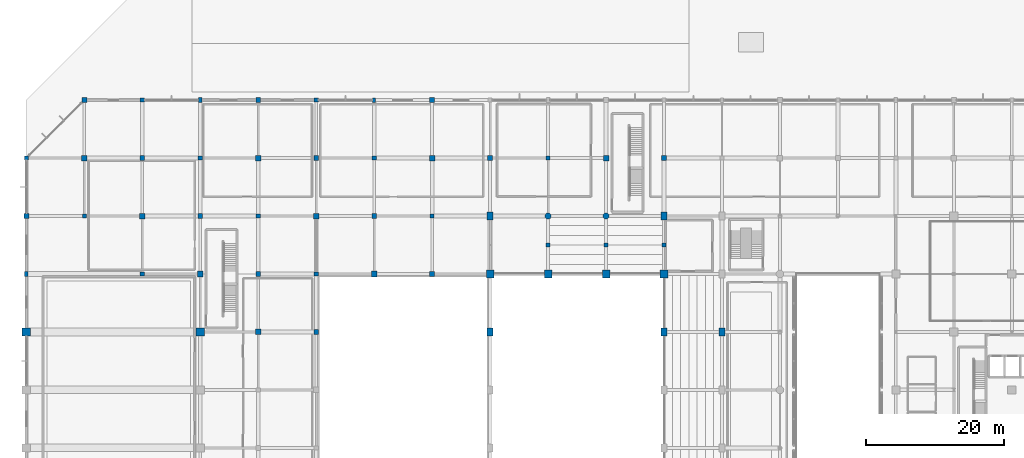
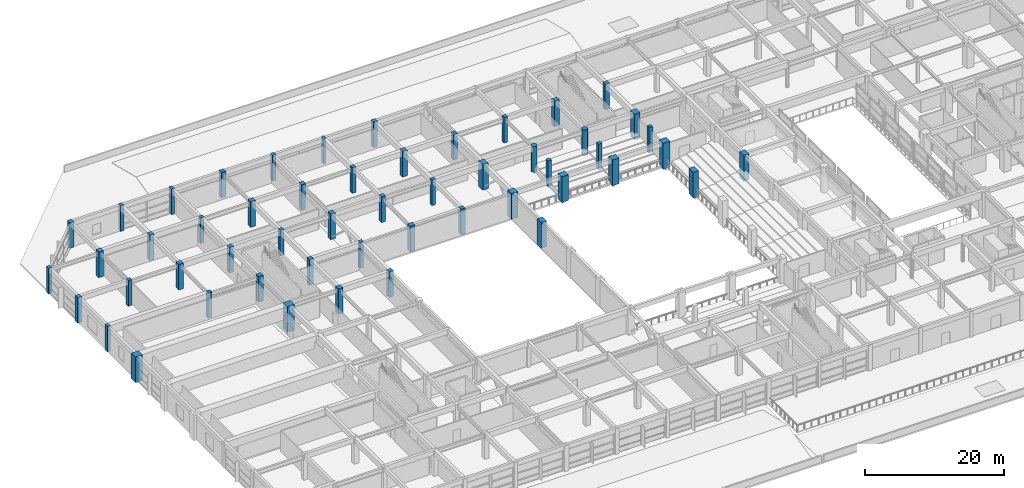
# One storey, part 3 of 60: 52 columns.
"""IFC4 building model written with IfcOpenShell, lengths in metres."""

from ifc_helpers import new_model, si_unit, direction, frame, origin, origin_2d, place, context, subcontext, project, spatial, rectangle, circle, extrude, material, material_profile, profile_set, type_object, element, save


model = new_model("IFC4")

# Units and contexts
model_context = context("Model", 3, precision=1e-05, world=origin(), true_north=direction((0.0, 1.0)))
body_context = subcontext(model_context, "Body", "Model", "MODEL_VIEW")
ifc_project = project(units=[si_unit("LENGTHUNIT", "METRE"), si_unit("AREAUNIT", "SQUARE_METRE"), si_unit("VOLUMEUNIT", "CUBIC_METRE"), si_unit("PLANEANGLEUNIT", "RADIAN"), si_unit("MASSUNIT", "GRAM", prefix="KILO")], contexts=[model_context])

# Site, building, storey
site_placement = place(None, origin())
site = spatial("IfcSite", under=ifc_project, at=site_placement, CompositionType="ELEMENT")
building_placement = place(site_placement, origin())
building = spatial("IfcBuilding", under=site, at=building_placement, Name="Xuanlan Plaza Opera House", CompositionType="ELEMENT")
storey_placement = place(building_placement, frame((0.0, 0.0, 9.89990234375)))
storey = spatial("IfcBuildingStorey", under=building, at=storey_placement, Name="L02", CompositionType="ELEMENT", Elevation=9.89990234375)

# Columns
ifc_material_1 = material(Name="Concrete C60", Category="concrete")
ifc_material_profile_1 = material_profile(ifc_material_1, rectangle(XDim=1.199951171875, YDim=1.199951171875, at=origin_2d()), Name="RC-COL 1200x1200")
ifc_profile_set_1 = profile_set([ifc_material_profile_1], Name="Concrete C60")
column_type_1 = type_object("IfcColumnType", Name="STR-COL-C-02", PredefinedType="COLUMN", material=ifc_profile_set_1)
for number, where, z_axis, x_axis, name in (
    (1, (0.0, 67.199951171875, 0.0), (0.0, 0.0, 1.0), (1.0, 0.0, 0.0), "Column L02 1-I"),
    (2, (25.199951171875, 67.199951171875, 0.0), (0.0, 0.0, 1.0), (1.0, 0.0, 0.0), "Column L02 4-I"),
):
    element("IfcColumn", number, at=place(storey_placement, frame(where, z_axis=z_axis, x_axis=x_axis)), inside=storey, type_object=column_type_1, Name=name, PredefinedType="COLUMN", context=body_context, shape_type="SweptSolid", body=[
        extrude(rectangle(XDim=1.199951171875, YDim=1.199951171875, at=origin_2d()), origin(), (0.0, 0.0, 1.0), 4.5),
    ])
ifc_material_2 = material(Name="Concrete C50", Category="concrete")
ifc_material_profile_2 = material_profile(ifc_material_2, rectangle(XDim=1.10009765625, YDim=1.10009765625, at=origin_2d()), Name="RC-COL 1100x1100")
ifc_profile_set_2 = profile_set([ifc_material_profile_2], Name="Concrete C50")
column_type_2 = type_object("IfcColumnType", Name="STR-COL-C-03", PredefinedType="COLUMN", material=ifc_profile_set_2)
for number, where, z_axis, x_axis, name in (
    (3, (67.199951171875, 75.60009765625, 0.0), (0.0, 0.0, 1.0), (1.0, 0.0, 0.0), "Column L02 9-J"),
    (4, (75.60009765625, 75.60009765625, 0.0), (0.0, 0.0, 1.0), (1.0, 0.0, 0.0), "Column L02 10-J"),
    (5, (84.0, 75.60009765625, 0.0), (0.0, 0.0, 1.0), (1.0, 0.0, 0.0), "Column L02 11-J"),
    (6, (92.39990234375, 75.60009765625, 0.0), (0.0, 0.0, 1.0), (1.0, 0.0, 0.0), "Column L02 12-J"),
):
    element("IfcColumn", number, at=place(storey_placement, frame(where, z_axis=z_axis, x_axis=x_axis)), inside=storey, type_object=column_type_2, Name=name, PredefinedType="COLUMN", context=body_context, shape_type="SweptSolid", body=[
        extrude(rectangle(XDim=1.10009765625, YDim=1.10009765625, at=origin_2d()), origin(), (0.0, 0.0, 1.0), 4.5),
    ])
ifc_material_3 = material(Name="Concrete C40", Category="concrete")
ifc_material_profile_3 = material_profile(ifc_material_3, rectangle(XDim=0.800048828125, YDim=0.800048828125, at=origin_2d()), Name="RC-COL 800x800")
ifc_profile_set_3 = profile_set([ifc_material_profile_3], Name="Concrete C40")
column_type_3 = type_object("IfcColumnType", Name="STR-COL-C-06", PredefinedType="COLUMN", material=ifc_profile_set_3)
for number, where, z_axis, x_axis, name in (
    (7, (8.39990234375, 92.39990234375, 0.0), (0.0, 0.0, 1.0), (1.0, 0.0, 0.0), "Column L02 2-L"),
    (8, (16.800048828125, 84.0, 0.0), (0.0, 0.0, 1.0), (1.0, 0.0, 0.0), "Column L02 3-K"),
    (9, (25.199951171875, 75.60009765625, 0.0), (0.0, 0.0, 1.0), (1.0, 0.0, 0.0), "Column L02 4-J"),
    (10, (33.60009765625, 67.199951171875, 0.0), (0.0, 0.0, 1.0), (1.0, 0.0, 0.0), "Column L02 5-I"),
    (11, (33.60009765625, 92.39990234375, 0.0), (0.0, 0.0, 1.0), (1.0, 0.0, 0.0), "Column L02 5-L"),
    (12, (42.0, 84.0, 0.0), (0.0, 0.0, 1.0), (1.0, 0.0, 0.0), "Column L02 6-K"),
    (13, (50.39990234375, 75.60009765625, 0.0), (0.0, 0.0, 1.0), (1.0, 0.0, 0.0), "Column L02 7-J"),
    (14, (58.800048828125, 92.39990234375, 0.0), (0.0, 0.0, 1.0), (1.0, 0.0, 0.0), "Column L02 8-L"),
    (15, (84.0, 92.39990234375, 0.0), (0.0, 0.0, 1.0), (1.0, 0.0, 0.0), "Column L02 11-L"),
):
    element("IfcColumn", number, at=place(storey_placement, frame(where, z_axis=z_axis, x_axis=x_axis)), inside=storey, type_object=column_type_3, Name=name, PredefinedType="COLUMN", context=body_context, shape_type="SweptSolid", body=[
        extrude(rectangle(XDim=0.800048828125, YDim=0.800048828125, at=origin_2d()), origin(), (0.0, 0.0, 1.0), 4.5),
    ])
ifc_material_profile_4 = material_profile(ifc_material_3, rectangle(XDim=0.699951171875, YDim=0.699951171875, at=origin_2d()), Name="RC-COL 700x700")
ifc_profile_set_4 = profile_set([ifc_material_profile_4], Name="Concrete C40")
column_type_4 = type_object("IfcColumnType", Name="STR-COL-C-07", PredefinedType="COLUMN", material=ifc_profile_set_4)
for number, where, z_axis, x_axis, name in (
    (16, (0.0, 84.0, 0.0), (0.0, 0.0, 1.0), (1.0, 0.0, 0.0), "Column L02 1-K"),
    (17, (8.39990234375, 100.800048828125, 0.0), (0.0, 0.0, 1.0), (1.0, 0.0, 0.0), "Column L02 2-M"),
    (18, (16.800048828125, 92.39990234375, 0.0), (0.0, 0.0, 1.0), (1.0, 0.0, 0.0), "Column L02 3-L"),
    (19, (25.199951171875, 84.0, 0.0), (0.0, 0.0, 1.0), (1.0, 0.0, 0.0), "Column L02 4-K"),
    (20, (33.60009765625, 75.60009765625, 0.0), (0.0, 0.0, 1.0), (1.0, 0.0, 0.0), "Column L02 5-J"),
    (21, (33.60009765625, 100.800048828125, 0.0), (0.0, 0.0, 1.0), (1.0, 0.0, 0.0), "Column L02 5-M"),
    (22, (42.0, 67.199951171875, 0.0), (0.0, 0.0, 1.0), (1.0, 0.0, 0.0), "Column L02 6-I"),
    (23, (42.0, 92.39990234375, 0.0), (0.0, 0.0, 1.0), (1.0, 0.0, 0.0), "Column L02 6-L"),
    (24, (50.39990234375, 84.0, 0.0), (0.0, 0.0, 1.0), (1.0, 0.0, 0.0), "Column L02 7-K"),
    (25, (58.800048828125, 75.60009765625, 0.0), (0.0, 0.0, 1.0), (1.0, 0.0, 0.0), "Column L02 8-J"),
    (26, (58.800048828125, 100.800048828125, 0.0), (0.0, 0.0, 1.0), (1.0, 0.0, 0.0), "Column L02 8-M"),
    (27, (67.199951171875, 92.39990234375, 0.0), (0.0, 0.0, 1.0), (1.0, 0.0, 0.0), "Column L02 9-L"),
    (28, (92.39990234375, 92.39990234375, 0.0), (0.0, 0.0, 1.0), (1.0, 0.0, 0.0), "Column L02 12-L"),
):
    element("IfcColumn", number, at=place(storey_placement, frame(where, z_axis=z_axis, x_axis=x_axis)), inside=storey, type_object=column_type_4, Name=name, PredefinedType="COLUMN", context=body_context, shape_type="SweptSolid", body=[
        extrude(rectangle(XDim=0.699951171875, YDim=0.699951171875, at=origin_2d()), origin(), (0.0, 0.0, 1.0), 4.5),
    ])
ifc_material_profile_5 = material_profile(ifc_material_3, rectangle(XDim=0.60009765625, YDim=0.60009765625, at=origin_2d()), Name="RC-COL 600x600")
ifc_profile_set_5 = profile_set([ifc_material_profile_5], Name="Concrete C40")
column_type_5 = type_object("IfcColumnType", Name="STR-COL-C-08", PredefinedType="COLUMN", material=ifc_profile_set_5)
for number, where, z_axis, x_axis, name in (
    (29, (0.0, 92.39990234375, 0.0), (0.0, 0.0, 1.0), (1.0, 0.0, 0.0), "Column L02 1-L"),
    (30, (8.39990234375, 84.0, 0.0), (0.0, 0.0, 1.0), (1.0, 0.0, 0.0), "Column L02 2-K"),
    (31, (16.800048828125, 75.60009765625, 0.0), (0.0, 0.0, 1.0), (1.0, 0.0, 0.0), "Column L02 3-J"),
    (32, (16.800048828125, 100.800048828125, 0.0), (0.0, 0.0, 1.0), (1.0, 0.0, 0.0), "Column L02 3-M"),
    (33, (25.199951171875, 92.39990234375, 0.0), (0.0, 0.0, 1.0), (1.0, 0.0, 0.0), "Column L02 4-L"),
    (34, (33.60009765625, 84.0, 0.0), (0.0, 0.0, 1.0), (1.0, 0.0, 0.0), "Column L02 5-K"),
    (35, (42.0, 75.60009765625, 0.0), (0.0, 0.0, 1.0), (1.0, 0.0, 0.0), "Column L02 6-J"),
    (36, (42.0, 100.800048828125, 0.0), (0.0, 0.0, 1.0), (1.0, 0.0, 0.0), "Column L02 6-M"),
    (37, (50.39990234375, 92.39990234375, 0.0), (0.0, 0.0, 1.0), (1.0, 0.0, 0.0), "Column L02 7-L"),
    (38, (58.800048828125, 84.0, 0.0), (0.0, 0.0, 1.0), (1.0, 0.0, 0.0), "Column L02 8-K"),
    (39, (75.60009765625, 92.39990234375, 0.0), (0.0, 0.0, 1.0), (1.0, 0.0, 0.0), "Column L02 10-L"),
    (40, (75.60009765625, 79.800048828125, 0.0), (0.0, 0.0, 1.0), (1.0, 0.0, 0.0), "Side Tier Support Column L02 N X75"),
    (41, (84.0, 79.800048828125, 0.0), (0.0, 0.0, 1.0), (1.0, 0.0, 0.0), "Side Tier Support Column L02 N X84"),
    (42, (92.39990234375, 79.800048828125, 0.0), (0.0, 0.0, 1.0), (1.0, 0.0, 0.0), "Side Tier Support Column L02 N X92"),
):
    element("IfcColumn", number, at=place(storey_placement, frame(where, z_axis=z_axis, x_axis=x_axis)), inside=storey, type_object=column_type_5, Name=name, PredefinedType="COLUMN", context=body_context, shape_type="SweptSolid", body=[
        extrude(rectangle(XDim=0.60009765625, YDim=0.60009765625, at=origin_2d()), origin(), (0.0, 0.0, 1.0), 4.5),
    ])
ifc_material_profile_6 = material_profile(ifc_material_2, rectangle(XDim=0.89990234375, YDim=1.199951171875, at=origin_2d()), Name="RC-COL 900x1200")
ifc_profile_set_6 = profile_set([ifc_material_profile_6], Name="Concrete C50")
column_type_6 = type_object("IfcColumnType", Name="STR-COL-C-10", PredefinedType="COLUMN", material=ifc_profile_set_6)
for number, where, z_axis, x_axis, name in (
    (43, (67.199951171875, 67.199951171875, 0.0), (0.0, 0.0, 1.0), (1.0, 0.0, 0.0), "Column L02 9-I"),
    (44, (67.199951171875, 84.0, 0.0), (0.0, 0.0, 1.0), (1.0, 0.0, 0.0), "Column L02 9-K"),
    (45, (92.39990234375, 67.199951171875, 0.0), (0.0, 0.0, 1.0), (1.0, 0.0, 0.0), "Column L02 12-I"),
    (46, (92.39990234375, 84.0, 0.0), (0.0, 0.0, 1.0), (1.0, 0.0, 0.0), "Column L02 12-K"),
    (47, (100.800048828125, 67.199951171875, 0.0), (0.0, 0.0, 1.0), (1.0, 0.0, 0.0), "Column L02 13-I"),
):
    element("IfcColumn", number, at=place(storey_placement, frame(where, z_axis=z_axis, x_axis=x_axis)), inside=storey, type_object=column_type_6, Name=name, PredefinedType="COLUMN", context=body_context, shape_type="SweptSolid", body=[
        extrude(rectangle(XDim=0.89990234375, YDim=1.199951171875, at=origin_2d()), origin(), (0.0, 0.0, 1.0), 4.5),
    ])
ifc_material_profile_7 = material_profile(ifc_material_3, circle(Radius=0.449951171875, at=origin_2d()), Name="RC-COL D900")
ifc_profile_set_7 = profile_set([ifc_material_profile_7], Name="Concrete C40")
column_type_7 = type_object("IfcColumnType", Name="STR-COL-C-12", PredefinedType="COLUMN", material=ifc_profile_set_7)
for number, where, z_axis, x_axis, name in (
    (48, (75.60009765625, 84.0, 0.0), (0.0, 0.0, 1.0), (1.0, 0.0, 0.0), "Column L02 10-K"),
    (49, (84.0, 84.0, 0.0), (0.0, 0.0, 1.0), (1.0, 0.0, 0.0), "Column L02 11-K"),
):
    element("IfcColumn", number, at=place(storey_placement, frame(where, z_axis=z_axis, x_axis=x_axis)), inside=storey, type_object=column_type_7, Name=name, PredefinedType="COLUMN", context=body_context, shape_type="SweptSolid", body=[
        extrude(circle(Radius=0.449951171875, at=origin_2d()), origin(), (0.0, 0.0, 1.0), 4.5),
    ])
ifc_material_profile_8 = material_profile(ifc_material_3, rectangle(XDim=0.449951171875, YDim=0.64990234375, at=origin_2d()), Name="RC-PIL 450x650")
ifc_profile_set_8 = profile_set([ifc_material_profile_8], Name="Concrete C40")
column_type_8 = type_object("IfcColumnType", Name="STR-COL-PL-01", PredefinedType="PILASTER", material=ifc_profile_set_8)
column_placement = place(storey_placement, frame((50.39990234375, 100.800048828125, 0.0), z_axis=(0.0, 0.0, 1.0), x_axis=(1.0, 0.0, 0.0)))
element("IfcColumn", 50, at=column_placement, inside=storey, type_object=column_type_8, Name="Column L02 7-M", PredefinedType="PILASTER", context=body_context, shape_type="SweptSolid", body=[
    extrude(rectangle(XDim=0.449951171875, YDim=0.64990234375, at=origin_2d()), origin(), (0.0, 0.0, 1.0), 4.5),
])
ifc_material_profile_9 = material_profile(ifc_material_3, rectangle(XDim=0.5, YDim=0.75, at=origin_2d()), Name="RC-PIL 500x750")
ifc_profile_set_9 = profile_set([ifc_material_profile_9], Name="Concrete C40")
column_type_9 = type_object("IfcColumnType", Name="STR-COL-PL-02", PredefinedType="PILASTER", material=ifc_profile_set_9)
for number, where, z_axis, x_axis, name in (
    (51, (0.0, 75.60009765625, 0.0), (0.0, 0.0, 1.0), (1.0, 0.0, 0.0), "Column L02 1-J"),
    (52, (25.199951171875, 100.800048828125, 0.0), (0.0, 0.0, 1.0), (1.0, 0.0, 0.0), "Column L02 4-M"),
):
    element("IfcColumn", number, at=place(storey_placement, frame(where, z_axis=z_axis, x_axis=x_axis)), inside=storey, type_object=column_type_9, Name=name, PredefinedType="PILASTER", context=body_context, shape_type="SweptSolid", body=[
        extrude(rectangle(XDim=0.5, YDim=0.75, at=origin_2d()), origin(), (0.0, 0.0, 1.0), 4.5),
    ])

save(model, "model.ifc")
